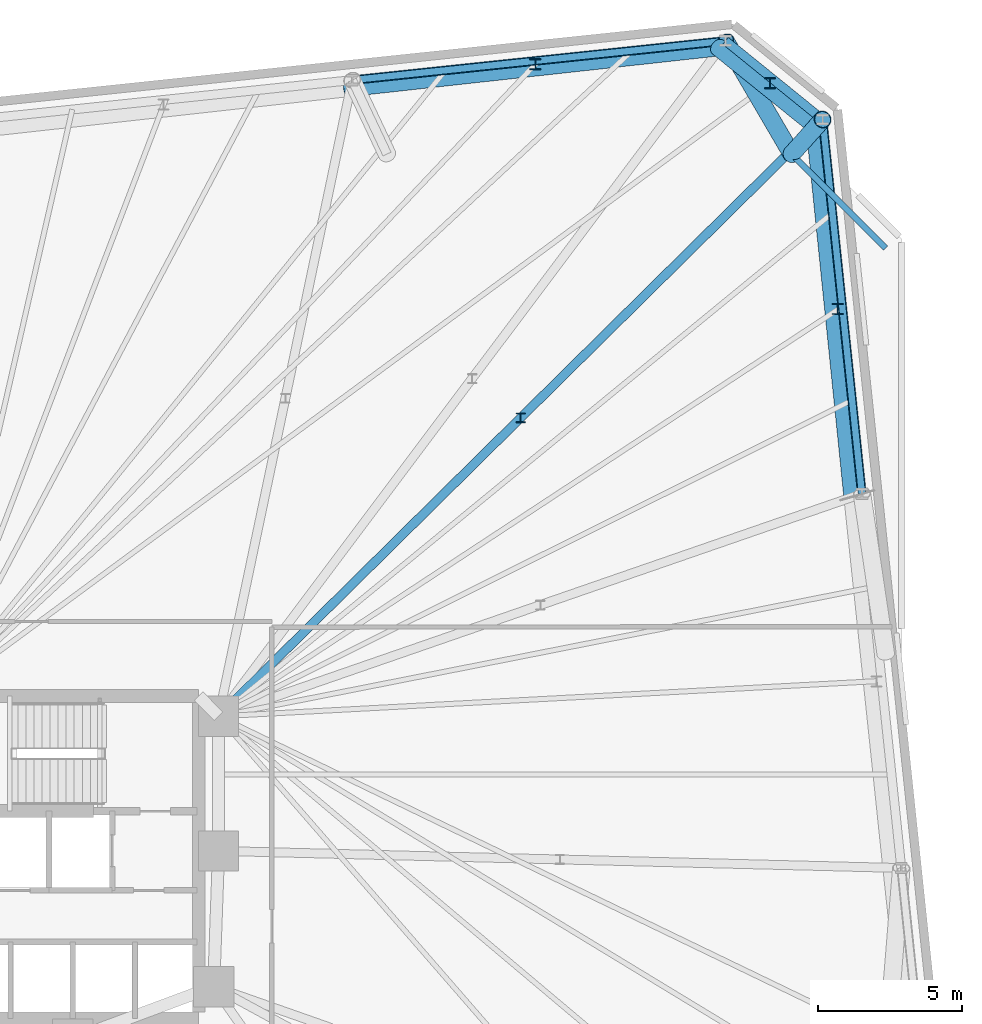
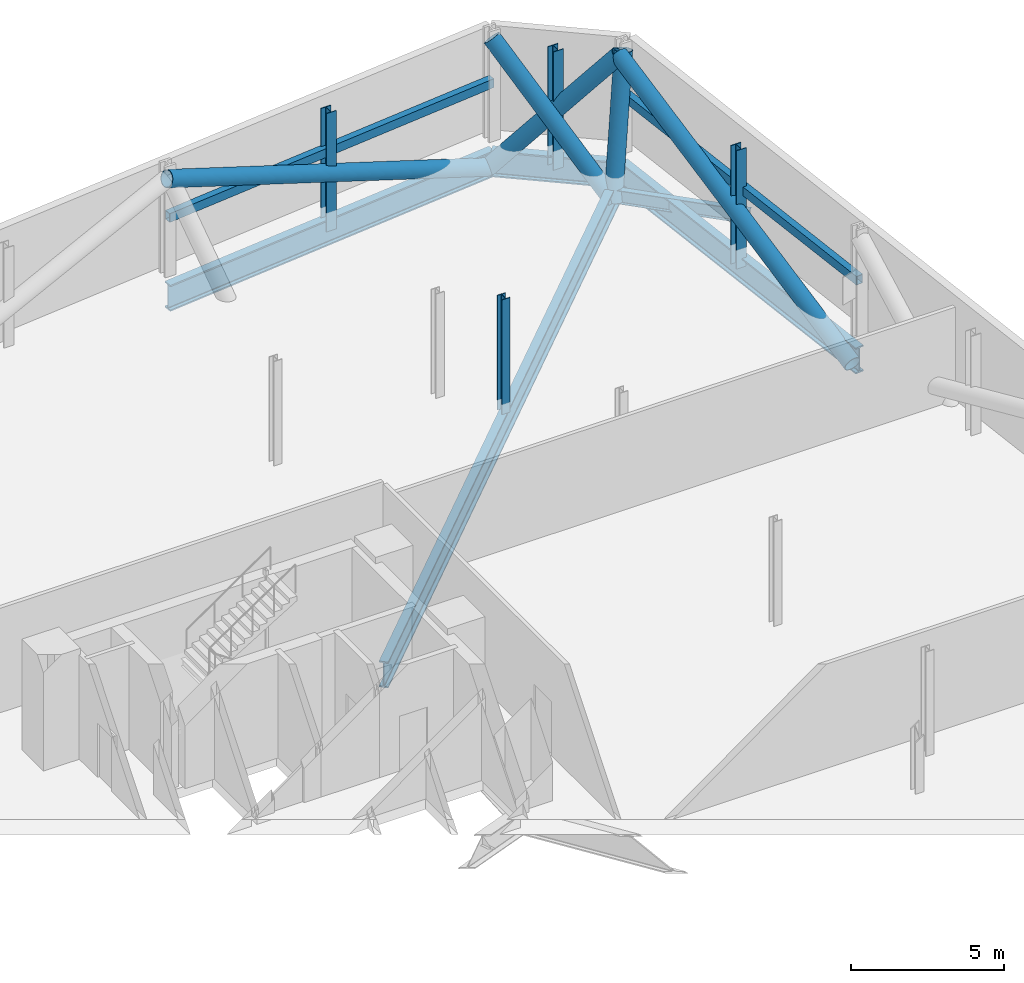
# One storey, part 11 of 17: 11 members, 5 beams.
"""IFC4 building model written with IfcOpenShell, lengths in metres."""

from ifc_helpers import new_model, si_unit, direction, frame, origin, origin_2d, place, context, subcontext, project, spatial, hollow_rectangle, hollow_circle, i_section, extrude, material, material_profile, profile_set, type_object, element, save


model = new_model("IFC4")

# Units and contexts
model_context = context("Model", 3, precision=1e-05, world=origin(), true_north=direction((0.0, 1.0)))
body_context = subcontext(model_context, "Body", "Model", "MODEL_VIEW")
ifc_project = project(units=[si_unit("LENGTHUNIT", "METRE"), si_unit("AREAUNIT", "SQUARE_METRE"), si_unit("VOLUMEUNIT", "CUBIC_METRE"), si_unit("PLANEANGLEUNIT", "RADIAN"), si_unit("MASSUNIT", "GRAM", prefix="KILO")], contexts=[model_context])

# Site, building, storey
site_placement = place(None, origin())
site = spatial("IfcSite", under=ifc_project, at=site_placement, CompositionType="ELEMENT")
building_placement = place(site_placement, origin())
building = spatial("IfcBuilding", under=site, at=building_placement, Name="Menara Jurai Vektor", CompositionType="ELEMENT")
storey_placement = place(building_placement, frame((0.0, 0.0, 78.800048828125)))
storey = spatial("IfcBuildingStorey", under=building, at=storey_placement, Name="L19", CompositionType="ELEMENT", Elevation=78.800048828125)

# Beams
ifc_material_1 = material(Name="Steel S355", Category="steel")
ifc_material_profile_1 = material_profile(ifc_material_1, i_section(OverallWidth=0.2109375, OverallDepth=0.5390625, WebThickness=0.011962890625, FlangeThickness=0.01904296875, FilletRadius=0.012939453125, at=origin_2d()), Name="UKB 533x210x109")
ifc_profile_set_1 = profile_set([ifc_material_profile_1], Name="Steel S355")
beam_type_1 = type_object("IfcBeamType", Name="STR-BM-533", PredefinedType="BEAM", material=ifc_profile_set_1)
beam_1_placement = place(storey_placement, frame((38.449951171875, 21.177734375, -0.674560546875), z_axis=(-0.707106781187, 0.707106781187, 0.0), x_axis=(-0.707106781187, -0.707106781187, 0.0)))
element("IfcBeam", 1, at=beam_1_placement, inside=storey, type_object=beam_type_1, Name="Step Terrace Edge Beam L19-10", PredefinedType="BEAM", context=body_context, shape_type="SweptSolid", body=[
    extrude(i_section(OverallWidth=0.2109375, OverallDepth=0.5390625, WebThickness=0.011962890625, FlangeThickness=0.01904296875, FilletRadius=0.012939453125, at=origin_2d()), origin(), (0.0, 0.0, 1.0), 4.627685546875),
])
ifc_material_2 = material(Name="Steel S460", Category="steel")
ifc_material_profile_2 = material_profile(ifc_material_2, i_section(OverallWidth=0.30908203125, OverallDepth=1.035888671875, WebThickness=0.030029296875, FlangeThickness=0.053955078125, FilletRadius=0.030029296875, at=origin_2d()), Name="UKB 1016x305x487")
ifc_profile_set_2 = profile_set([ifc_material_profile_2], Name="Steel S460")
beam_type_2 = type_object("IfcBeamType", Name="STR-BM-TR1016", PredefinedType="BEAM", material=ifc_profile_set_2)
beam_2_placement = place(storey_placement, frame((37.62060546875, 12.638427734375, -0.923095703125), z_axis=(-0.104538130097, 0.994520879296, 0.0), x_axis=(-0.994520879296, -0.104538130097, 0.0)))
element("IfcBeam", 2, at=beam_2_placement, inside=storey, type_object=beam_type_2, Name="Belt Truss Bottom Chord L19-09", PredefinedType="BEAM", context=body_context, shape_type="SweptSolid", body=[
    extrude(i_section(OverallWidth=0.30908203125, OverallDepth=1.035888671875, WebThickness=0.030029296875, FlangeThickness=0.053955078125, FilletRadius=0.030029296875, at=origin_2d()), origin(), (0.0, 0.0, 1.0), 13.08544921875),
])
beam_3_placement = place(storey_placement, frame((36.252685546875, 25.652099609375, -0.923095703125), z_axis=(-0.777154568396, 0.629309762217, 0.0), x_axis=(-0.629309762217, -0.777154568396, 0.0)))
element("IfcBeam", 3, at=beam_3_placement, inside=storey, type_object=beam_type_2, Name="Belt Truss Bottom Chord L19-10", PredefinedType="BEAM", context=body_context, shape_type="SweptSolid", body=[
    extrude(i_section(OverallWidth=0.30908203125, OverallDepth=1.035888671875, WebThickness=0.030029296875, FlangeThickness=0.053955078125, FilletRadius=0.030029296875, at=origin_2d()), origin(), (0.0, 0.0, 1.0), 4.3447265625),
])
beam_4_placement = place(storey_placement, frame((36.252685546875, 25.652099609375, -0.923095703125), z_axis=(-0.711335927547, -0.702852188004, 0.0), x_axis=(0.702852188004, -0.711335927547, 0.0)))
element("IfcBeam", 4, at=beam_4_placement, inside=storey, type_object=beam_type_2, Name="Outrigger Transfer Girder L19-E4", PredefinedType="BEAM", context=body_context, shape_type="SweptSolid", body=[
    extrude(i_section(OverallWidth=0.30908203125, OverallDepth=1.035888671875, WebThickness=0.030029296875, FlangeThickness=0.053955078125, FilletRadius=0.030029296875, at=origin_2d()), origin(), (0.0, 0.0, 1.0), 29.525634765625),
])
beam_5_placement = place(storey_placement, frame((32.876220703125, 28.38623046875, -0.923095703125), z_axis=(-0.994521431679, -0.104532874882, 0.0), x_axis=(0.104532874882, -0.994521431679, 0.0)))
element("IfcBeam", 5, at=beam_5_placement, inside=storey, type_object=beam_type_2, Name="Belt Truss Bottom Chord L19-11", PredefinedType="BEAM", context=body_context, shape_type="SweptSolid", body=[
    extrude(i_section(OverallWidth=0.30908203125, OverallDepth=1.035888671875, WebThickness=0.030029296875, FlangeThickness=0.053955078125, FilletRadius=0.030029296875, at=origin_2d()), origin(), (0.0, 0.0, 1.0), 13.051025390625),
])

# Members
ifc_material_profile_3 = material_profile(ifc_material_2, hollow_circle(Radius=0.304931640625, WallThickness=0.02490234375, at=origin_2d()), Name="CHS 610x25")
ifc_profile_set_3 = profile_set([ifc_material_profile_3], Name="Steel S460")
member_type_1 = type_object("IfcMemberType", Name="STR-BR-610", PredefinedType="BRACE", material=ifc_profile_set_3)
member_1_placement = place(storey_placement, frame((37.29443359375, 12.54248046875, -0.923095703125), z_axis=(-0.095144096104, 0.930372083564, 0.354055627128), x_axis=(-0.994811639193, -0.101733979208, 0.0)))
element("IfcMember", 6, at=member_1_placement, inside=storey, type_object=member_type_1, Name="Belt Truss Web Diagonal L19-09", PredefinedType="BRACE", context=body_context, shape_type="SweptSolid", body=[
    extrude(hollow_circle(Radius=0.304931640625, WallThickness=0.02490234375, at=origin_2d()), origin(), (0.0, 0.0, 1.0), 13.882080078125),
])
member_2_placement = place(storey_placement, frame((32.618896484375, 28.163818359375, -0.923095703125), z_axis=(0.513186590895, -0.413917981725, 0.751871948759), x_axis=(0.627805595361, 0.778370178278, 0.0)))
element("IfcMember", 7, at=member_2_placement, inside=storey, type_object=member_type_1, Name="Belt Truss Web Diagonal L19-10", PredefinedType="BRACE", context=body_context, shape_type="SweptSolid", body=[
    extrude(hollow_circle(Radius=0.304931640625, WallThickness=0.02490234375, at=origin_2d()), origin(), (0.0, 0.0, 1.0), 6.537109375),
])
member_3_placement = place(storey_placement, frame((32.618896484375, 28.163818359375, -0.923095703125), z_axis=(-0.929715810132, -0.10229422041, 0.353785817779), x_axis=(0.109367396621, -0.994001394645, 0.0)))
element("IfcMember", 8, at=member_3_placement, inside=storey, type_object=member_type_1, Name="Belt Truss Web Diagonal L19-11", PredefinedType="BRACE", context=body_context, shape_type="SweptSolid", body=[
    extrude(hollow_circle(Radius=0.304931640625, WallThickness=0.02490234375, at=origin_2d()), origin(), (0.0, 0.0, 1.0), 13.892578125),
])
ifc_material_profile_4 = material_profile(ifc_material_2, hollow_rectangle(XDim=0.25, YDim=0.35009765625, WallThickness=0.012451171875, at=origin_2d()), Name="RHS 350x250x12.5")
ifc_profile_set_4 = profile_set([ifc_material_profile_4], Name="Steel S460")
member_type_2 = type_object("IfcMemberType", Name="STR-CH-RHS350", PredefinedType="CHORD", material=ifc_profile_set_4)
member_4_placement = place(storey_placement, frame((37.62060546875, 12.638427734375, 2.2548828125), z_axis=(-0.104540069869, 0.994520675397, 0.0), x_axis=(-0.994520675397, -0.104540069869, 0.0)))
element("IfcMember", 9, at=member_4_placement, inside=storey, type_object=member_type_2, Name="Belt Truss Mid Chord L19-09", PredefinedType="CHORD", context=body_context, shape_type="SweptSolid", body=[
    extrude(hollow_rectangle(XDim=0.25, YDim=0.35009765625, WallThickness=0.012451171875, at=origin_2d()), origin(), (0.0, 0.0, 1.0), 13.085205078125),
])
member_5_placement = place(storey_placement, frame((32.876220703125, 28.38623046875, 2.2548828125), z_axis=(-0.994521431679, -0.104532874882, 0.0), x_axis=(0.104532874882, -0.994521431679, 0.0)))
element("IfcMember", 10, at=member_5_placement, inside=storey, type_object=member_type_2, Name="Belt Truss Mid Chord L19-11", PredefinedType="CHORD", context=body_context, shape_type="SweptSolid", body=[
    extrude(hollow_rectangle(XDim=0.25, YDim=0.35009765625, WallThickness=0.012451171875, at=origin_2d()), origin(), (0.0, 0.0, 1.0), 13.051025390625),
])
ifc_material_profile_5 = material_profile(ifc_material_2, i_section(OverallWidth=0.31103515625, OverallDepth=0.326904296875, WebThickness=0.01611328125, FlangeThickness=0.02490234375, FilletRadius=0.014892578125, at=origin_2d()), Name="UKC 305x305x158")
ifc_profile_set_5 = profile_set([ifc_material_profile_5], Name="Steel S460")
member_type_3 = type_object("IfcMemberType", Name="STR-POST-305", PredefinedType="POST", material=ifc_profile_set_5)
member_6_placement = place(storey_placement, frame((25.75146484375, 15.27587890625, -0.405029296875), z_axis=(0.0, 0.0, 1.0), x_axis=(1.0, 0.0, 0.0)))
element("IfcMember", 11, at=member_6_placement, inside=storey, type_object=member_type_3, Name="Girder Hanger L19-E4", PredefinedType="POST", context=body_context, shape_type="SweptSolid", body=[
    extrude(i_section(OverallWidth=0.31103515625, OverallDepth=0.326904296875, WebThickness=0.01611328125, FlangeThickness=0.02490234375, FilletRadius=0.014892578125, at=origin_2d()), origin(), (0.0, 0.0, 1.0), 4.554931640625),
])
ifc_material_profile_6 = material_profile(ifc_material_2, i_section(OverallWidth=0.375, OverallDepth=0.375, WebThickness=0.01708984375, FlangeThickness=0.027099609375, FilletRadius=0.014892578125, at=origin_2d()), Name="UKC 356x368x202")
ifc_profile_set_6 = profile_set([ifc_material_profile_6], Name="Steel S460")
member_type_4 = type_object("IfcMemberType", Name="STR-POST-368", PredefinedType="POST", material=ifc_profile_set_6)
for number, where, z_axis, x_axis, name in (
    (12, (36.775146484375, 19.06591796875, -0.755126953125), (0.0, 0.0, 1.0), (1.0, 0.0, 0.0), "Belt Truss Vertical Web Post L19-09"),
    (13, (34.42236328125, 26.90869140625, -0.755126953125), (0.0, 0.0, 1.0), (1.0, 0.0, 0.0), "Belt Truss Vertical Web Post L19-10"),
    (14, (26.263671875, 27.572509765625, -0.755126953125), (0.0, 0.0, 1.0), (1.0, 0.0, 0.0), "Belt Truss Vertical Web Post L19-11"),
):
    element("IfcMember", number, at=place(storey_placement, frame(where, z_axis=z_axis, x_axis=x_axis)), inside=storey, type_object=member_type_4, Name=name, PredefinedType="POST", context=body_context, shape_type="SweptSolid", body=[
        extrude(i_section(OverallWidth=0.375, OverallDepth=0.375, WebThickness=0.01708984375, FlangeThickness=0.027099609375, FilletRadius=0.014892578125, at=origin_2d()), origin(), (0.0, 0.0, 1.0), 4.705078125),
    ])
ifc_material_profile_7 = material_profile(ifc_material_2, hollow_circle(Radius=0.304931640625, WallThickness=0.02490234375, at=origin_2d()), Name="CHS 610x25")
ifc_profile_set_7 = profile_set([ifc_material_profile_7], Name="Steel S460")
member_type_5 = type_object("IfcMemberType", Name="STR-ST-610", PredefinedType="STRUT", material=ifc_profile_set_7)
member_7_placement = place(storey_placement, frame((35.177734375, 24.449951171875, -0.923095703125), z_axis=(0.20780898611, 0.232351496393, 0.950172725043), x_axis=(-0.745375933965, 0.66664437076, 0.0)))
element("IfcMember", 15, at=member_7_placement, inside=storey, type_object=member_type_5, Name="Transfer Outrigger Strut L19-E4", PredefinedType="STRUT", context=body_context, shape_type="SweptSolid", body=[
    extrude(hollow_circle(Radius=0.304931640625, WallThickness=0.02490234375, at=origin_2d()), origin(), (0.0, 0.0, 1.0), 5.1728515625),
])
member_8_placement = place(storey_placement, frame((35.177734375, 24.449951171875, -0.923095703125), z_axis=(-0.343284484899, 0.587119523712, 0.733107377744), x_axis=(-0.863267721564, -0.504746313415, 0.0)))
element("IfcMember", 16, at=member_8_placement, inside=storey, type_object=member_type_5, Name="Transfer Outrigger Strut L19-N1", PredefinedType="STRUT", context=body_context, shape_type="SweptSolid", body=[
    extrude(hollow_circle(Radius=0.304931640625, WallThickness=0.02490234375, at=origin_2d()), origin(), (0.0, 0.0, 1.0), 6.704345703125),
])

save(model, "model.ifc")
